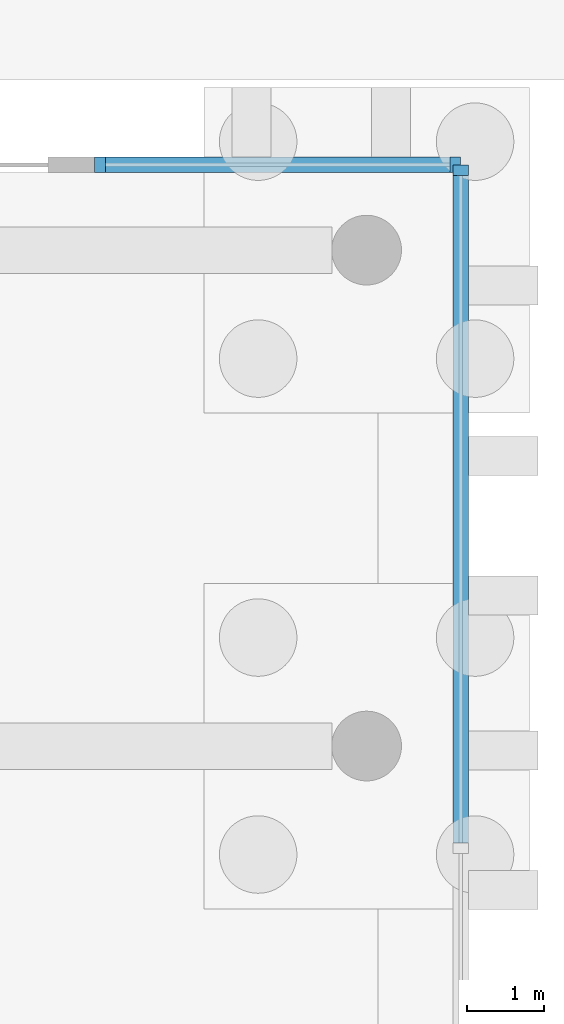
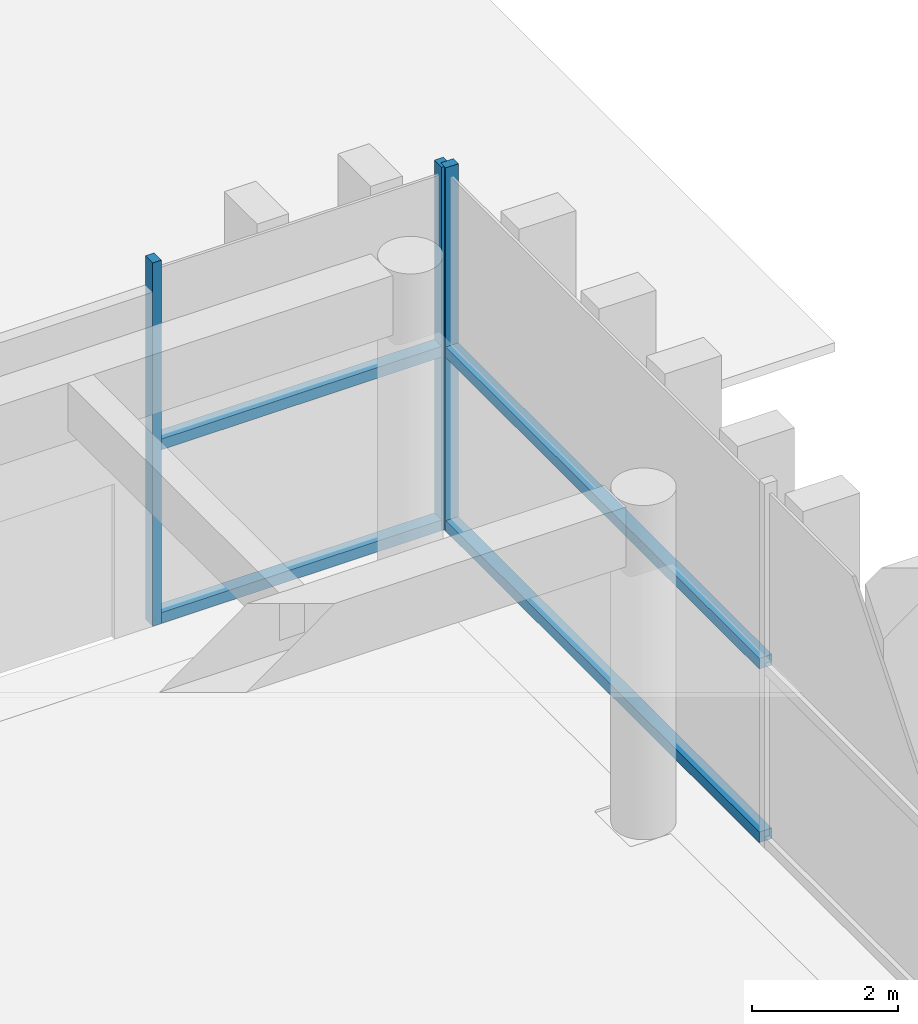
# One storey, part 12 of 32: 7 members, 2 elements without a shape of their own.
"""IFC4 building model written with IfcOpenShell, lengths in metres."""

from ifc_helpers import new_model, si_unit, direction, frame, origin, origin_2d, place, context, subcontext, project, spatial, rectangle, extrude, material, material_profile, profile_set, type_object, element, aggregate, save


model = new_model("IFC4")

# Units and contexts
model_context = context("Model", 3, precision=1e-05, world=origin(), true_north=direction((0.0, 1.0)))
body_context = subcontext(model_context, "Body", "Model", "MODEL_VIEW")
ifc_project = project(units=[si_unit("LENGTHUNIT", "METRE"), si_unit("AREAUNIT", "SQUARE_METRE"), si_unit("VOLUMEUNIT", "CUBIC_METRE"), si_unit("PLANEANGLEUNIT", "RADIAN"), si_unit("MASSUNIT", "GRAM", prefix="KILO")], contexts=[model_context])

# Site, building, storey
site_placement = place(None, origin())
site = spatial("IfcSite", under=ifc_project, at=site_placement, CompositionType="ELEMENT")
building_placement = place(site_placement, origin())
building = spatial("IfcBuilding", under=site, at=building_placement, Name="Quipu Civic Tower", CompositionType="ELEMENT")
storey_placement = place(building_placement, origin())
storey = spatial("IfcBuildingStorey", under=building, at=storey_placement, Name="L00", CompositionType="ELEMENT", Elevation=0.0)

# Curtain wall, member
ifc_material_1 = material(Name="Insulated glass unit", Category="glass")
curtain_wall_type = type_object("IfcCurtainWallType", Name="Hall glazing CW2", PredefinedType="NOTDEFINED", material=ifc_material_1)
curtain_wall_1_placement = place(storey_placement, origin())
curtain_wall_1 = element("IfcCurtainWall", 1, at=curtain_wall_1_placement, inside=storey, type_object=curtain_wall_type, Name="Hall glazing CW2 L00 run 4", PredefinedType="NOTDEFINED")
ifc_material_2 = material(Name="Anodised aluminium", Category="aluminium")
ifc_material_profile_1 = material_profile(ifc_material_2, rectangle(XDim=0.199951171875, YDim=0.139892578125, at=origin_2d()), Name="RECT 200x140")
ifc_profile_set_1 = profile_set([ifc_material_profile_1], Name="Anodised aluminium")
member_type_1 = type_object("IfcMemberType", Name="Mullion CW2", PredefinedType="MULLION", material=ifc_profile_set_1)
member_1_placement = place(storey_placement, frame((55.21435546875, 56.030029296875, 0.0), z_axis=(0.0, 0.0, 1.0), x_axis=(-1.0, 0.0, 0.0)))
member_1 = element("IfcMember", 2, at=member_1_placement, type_object=member_type_1, Name="CW2 mullion 4", PredefinedType="MULLION", context=body_context, shape_type="SweptSolid", body=[
    extrude(rectangle(XDim=0.199951171875, YDim=0.139892578125, at=origin_2d()), origin(), (0.0, 0.0, 1.0), 6.090087890625),
])

# Curtain wall, members
curtain_wall_2_placement = place(storey_placement, origin())
curtain_wall_2 = element("IfcCurtainWall", 3, at=curtain_wall_2_placement, inside=storey, type_object=curtain_wall_type, Name="Hall glazing CW2 L00 run 5", PredefinedType="NOTDEFINED")
member_2_placement = place(storey_placement, frame((55.144287109375, 56.10009765625, 0.0), z_axis=(0.0, 0.0, 1.0), x_axis=(0.0, -1.0, 0.0)))
member_2 = element("IfcMember", 4, at=member_2_placement, type_object=member_type_1, Name="CW2 mullion 1", PredefinedType="MULLION", context=body_context, shape_type="SweptSolid", body=[
    extrude(rectangle(XDim=0.199951171875, YDim=0.139892578125, at=origin_2d()), origin(), (0.0, 0.0, 1.0), 6.090087890625),
])
member_3_placement = place(storey_placement, frame((50.561279296875, 56.10009765625, 0.0), z_axis=(0.0, 0.0, 1.0), x_axis=(0.0, -1.0, 0.0)))
member_3 = element("IfcMember", 5, at=member_3_placement, type_object=member_type_1, Name="CW2 mullion 2", PredefinedType="MULLION", context=body_context, shape_type="SweptSolid", body=[
    extrude(rectangle(XDim=0.199951171875, YDim=0.139892578125, at=origin_2d()), origin(), (0.0, 0.0, 1.0), 6.090087890625),
])

# Member
ifc_material_3 = material(Name="Anodised aluminium", Category="aluminium")
ifc_material_profile_2 = material_profile(ifc_material_3, rectangle(XDim=0.199951171875, YDim=0.179931640625, at=origin_2d()), Name="RECT 200x180")
ifc_profile_set_2 = profile_set([ifc_material_profile_2], Name="Anodised aluminium")
member_type_2 = type_object("IfcMemberType", Name="Transom CW2", PredefinedType="USERDEFINED", material=ifc_profile_set_2)
member_4_placement = place(storey_placement, frame((55.21435546875, 47.350830078125, 0.090087890625), z_axis=(0.0, 1.0, 0.0), x_axis=(-1.0, 0.0, 0.0)))
member_4 = element("IfcMember", 6, at=member_4_placement, type_object=member_type_2, Name="CW2 transom 3.1", ObjectType="TRANSOM", PredefinedType="USERDEFINED", context=body_context, shape_type="SweptSolid", body=[
    extrude(rectangle(XDim=0.199951171875, YDim=0.179931640625, at=origin_2d()), origin(), (0.0, 0.0, 1.0), 8.609130859375),
])

member_5_placement = place(storey_placement, frame((55.21435546875, 47.350830078125, 3.0), z_axis=(0.0, 1.0, 0.0), x_axis=(-1.0, 0.0, 0.0)))
member_5 = element("IfcMember", 7, at=member_5_placement, type_object=member_type_2, Name="CW2 transom 3.2", ObjectType="TRANSOM", PredefinedType="USERDEFINED", context=body_context, shape_type="SweptSolid", body=[
    extrude(rectangle(XDim=0.199951171875, YDim=0.179931640625, at=origin_2d()), origin(), (0.0, 0.0, 1.0), 8.609130859375),
])

aggregate(curtain_wall_1, [member_1, member_4, member_5])

member_6_placement = place(storey_placement, frame((55.074462890625, 56.10009765625, 0.090087890625), z_axis=(-1.0, 0.0, 0.0), x_axis=(0.0, -1.0, 0.0)))
member_6 = element("IfcMember", 8, at=member_6_placement, type_object=member_type_2, Name="CW2 transom 1.1", ObjectType="TRANSOM", PredefinedType="USERDEFINED", context=body_context, shape_type="SweptSolid", body=[
    extrude(rectangle(XDim=0.199951171875, YDim=0.179931640625, at=origin_2d()), origin(), (0.0, 0.0, 1.0), 4.443115234375),
])

member_7_placement = place(storey_placement, frame((55.074462890625, 56.10009765625, 3.0), z_axis=(-1.0, 0.0, 0.0), x_axis=(0.0, -1.0, 0.0)))
member_7 = element("IfcMember", 9, at=member_7_placement, type_object=member_type_2, Name="CW2 transom 1.2", ObjectType="TRANSOM", PredefinedType="USERDEFINED", context=body_context, shape_type="SweptSolid", body=[
    extrude(rectangle(XDim=0.199951171875, YDim=0.179931640625, at=origin_2d()), origin(), (0.0, 0.0, 1.0), 4.443115234375),
])

aggregate(curtain_wall_2, [member_2, member_3, member_6, member_7])

save(model, "model.ifc")
